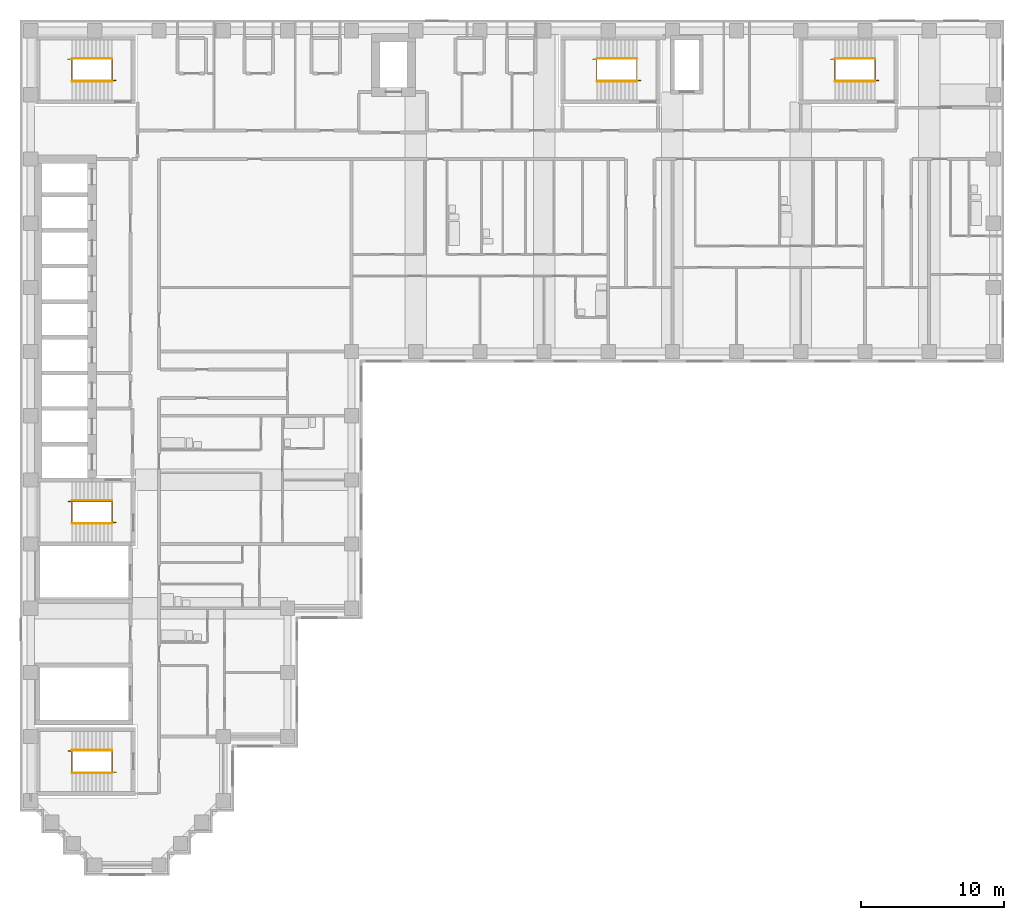
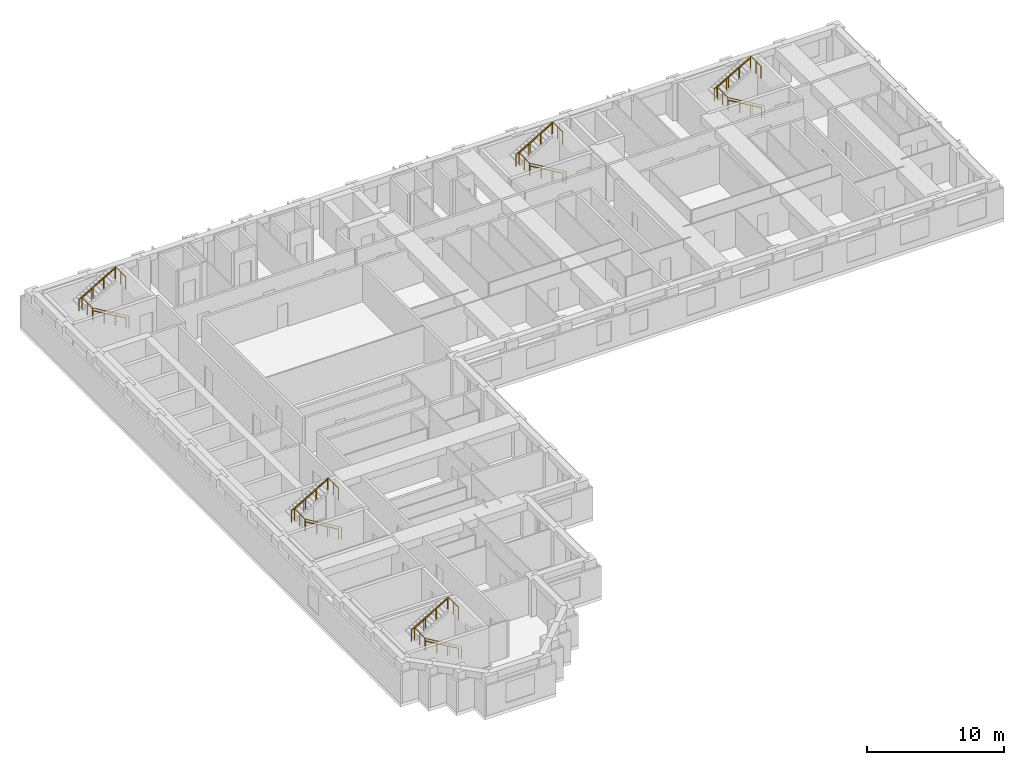
# One storey, part 11 of 12: 15 railings.
"""IFC4 building model written with IfcOpenShell, lengths in metres."""

from ifc_helpers import new_model, si_unit, direction, frame, origin, origin_2d, place, context, subcontext, project, spatial, circle, extrude, material, type_object, element, save


model = new_model("IFC4")

# Units and contexts
model_context = context("Model", 3, precision=1e-05, world=origin(), true_north=direction((0.0, 1.0)))
body_context = subcontext(model_context, "Body", "Model", "MODEL_VIEW")
ifc_project = project(units=[si_unit("LENGTHUNIT", "METRE"), si_unit("AREAUNIT", "SQUARE_METRE"), si_unit("VOLUMEUNIT", "CUBIC_METRE"), si_unit("PLANEANGLEUNIT", "RADIAN"), si_unit("MASSUNIT", "GRAM", prefix="KILO")], contexts=[model_context])

# Site, building, storey
site_placement = place(None, origin())
site = spatial("IfcSite", under=ifc_project, at=site_placement, CompositionType="ELEMENT")
building_placement = place(site_placement, origin())
building = spatial("IfcBuilding", under=site, at=building_placement, Name="Firuza Court", CompositionType="ELEMENT")
storey_placement = place(building_placement, frame((0.0, 0.0, 155.60009765625)))
storey = spatial("IfcBuildingStorey", under=building, at=storey_placement, Name="L39", CompositionType="ELEMENT", Elevation=155.60009765625)

# Railings
ifc_material_1 = material(Name="Steel S355", Category="steel")
railing_type_1 = type_object("IfcRailingType", Name="Handrail 900", PredefinedType="HANDRAIL", material=ifc_material_1)
railing_1_placement = place(storey_placement, frame((42.5, 54.949951171875, 0.16357421875)))
element("IfcRailing", 1, at=railing_1_placement, inside=storey, type_object=railing_type_1, Name="Handrail S1 flight 1", PredefinedType="HANDRAIL", context=body_context, shape_type="SweptSolid", body=[
    extrude(circle(Radius=0.02490234375, at=origin_2d()), frame((0.0, 0.0, 0.875), z_axis=(-0.863393664356, 0.0, 0.504530851732), x_axis=(0.0, -1.0, 0.0)), (0.0, 0.0, 1.0), 3.2431640625),
    extrude(circle(Radius=0.02001953125, at=origin_2d()), origin(), (0.0, 0.0, 1.0), 0.849853515625),
    extrude(circle(Radius=0.02001953125, at=origin_2d()), frame((-0.933349609375, 0.0, 0.54541015625)), (0.0, 0.0, 1.0), 0.849853515625),
    extrude(circle(Radius=0.02001953125, at=origin_2d()), frame((-1.86669921875, 0.0, 1.0908203125)), (0.0, 0.0, 1.0), 0.849853515625),
    extrude(circle(Radius=0.02001953125, at=origin_2d()), frame((-2.800048828125, 0.0, 1.63623046875)), (0.0, 0.0, 1.0), 0.849853515625),
])
railing_2_placement = place(storey_placement, frame((39.699951171875, 56.550048828125, 1.963623046875)))
element("IfcRailing", 2, at=railing_2_placement, inside=storey, type_object=railing_type_1, Name="Handrail S1 flight 2", PredefinedType="HANDRAIL", context=body_context, shape_type="SweptSolid", body=[
    extrude(circle(Radius=0.02490234375, at=origin_2d()), frame((0.0, 0.0, 0.875), z_axis=(0.863393664356, 0.0, 0.504530851732), x_axis=(0.0, 1.0, 0.0)), (0.0, 0.0, 1.0), 3.2431640625),
    extrude(circle(Radius=0.02001953125, at=origin_2d()), origin(), (0.0, 0.0, 1.0), 0.849853515625),
    extrude(circle(Radius=0.02001953125, at=origin_2d()), frame((0.933349609375, 0.0, 0.54541015625)), (0.0, 0.0, 1.0), 0.849853515625),
    extrude(circle(Radius=0.02001953125, at=origin_2d()), frame((1.86669921875, 0.0, 1.0908203125)), (0.0, 0.0, 1.0), 0.849853515625),
    extrude(circle(Radius=0.02001953125, at=origin_2d()), frame((2.800048828125, 0.0, 1.63623046875)), (0.0, 0.0, 1.0), 0.849853515625),
])
railing_3_placement = place(storey_placement, frame((5.699951171875, 23.949951171875, 0.16357421875)))
element("IfcRailing", 3, at=railing_3_placement, inside=storey, type_object=railing_type_1, Name="Handrail S2 flight 1", PredefinedType="HANDRAIL", context=body_context, shape_type="SweptSolid", body=[
    extrude(circle(Radius=0.02490234375, at=origin_2d()), frame((0.0, 0.0, 0.875), z_axis=(-0.863393664356, 0.0, 0.504530851732), x_axis=(0.0, -1.0, 0.0)), (0.0, 0.0, 1.0), 3.2431640625),
    extrude(circle(Radius=0.02001953125, at=origin_2d()), origin(), (0.0, 0.0, 1.0), 0.849853515625),
    extrude(circle(Radius=0.02001953125, at=origin_2d()), frame((-0.933349609375, 0.0, 0.54541015625)), (0.0, 0.0, 1.0), 0.849853515625),
    extrude(circle(Radius=0.02001953125, at=origin_2d()), frame((-1.86669921875, 0.0, 1.0908203125)), (0.0, 0.0, 1.0), 0.849853515625),
    extrude(circle(Radius=0.02001953125, at=origin_2d()), frame((-2.800048828125, 0.0, 1.63623046875)), (0.0, 0.0, 1.0), 0.849853515625),
])
railing_4_placement = place(storey_placement, frame((2.89990234375, 25.550048828125, 1.963623046875)))
element("IfcRailing", 4, at=railing_4_placement, inside=storey, type_object=railing_type_1, Name="Handrail S2 flight 2", PredefinedType="HANDRAIL", context=body_context, shape_type="SweptSolid", body=[
    extrude(circle(Radius=0.02490234375, at=origin_2d()), frame((0.0, 0.0, 0.875), z_axis=(0.863393664356, 0.0, 0.504530851732), x_axis=(0.0, 1.0, 0.0)), (0.0, 0.0, 1.0), 3.2431640625),
    extrude(circle(Radius=0.02001953125, at=origin_2d()), origin(), (0.0, 0.0, 1.0), 0.849853515625),
    extrude(circle(Radius=0.02001953125, at=origin_2d()), frame((0.933349609375, 0.0, 0.54541015625)), (0.0, 0.0, 1.0), 0.849853515625),
    extrude(circle(Radius=0.02001953125, at=origin_2d()), frame((1.86669921875, 0.0, 1.0908203125)), (0.0, 0.0, 1.0), 0.849853515625),
    extrude(circle(Radius=0.02001953125, at=origin_2d()), frame((2.800048828125, 0.0, 1.63623046875)), (0.0, 0.0, 1.0), 0.849853515625),
])
railing_5_placement = place(storey_placement, frame((5.699951171875, 54.949951171875, 0.16357421875)))
element("IfcRailing", 5, at=railing_5_placement, inside=storey, type_object=railing_type_1, Name="Handrail S3 flight 1", PredefinedType="HANDRAIL", context=body_context, shape_type="SweptSolid", body=[
    extrude(circle(Radius=0.02490234375, at=origin_2d()), frame((0.0, 0.0, 0.875), z_axis=(-0.863393664356, 0.0, 0.504530851732), x_axis=(0.0, -1.0, 0.0)), (0.0, 0.0, 1.0), 3.2431640625),
    extrude(circle(Radius=0.02001953125, at=origin_2d()), origin(), (0.0, 0.0, 1.0), 0.849853515625),
    extrude(circle(Radius=0.02001953125, at=origin_2d()), frame((-0.933349609375, 0.0, 0.54541015625)), (0.0, 0.0, 1.0), 0.849853515625),
    extrude(circle(Radius=0.02001953125, at=origin_2d()), frame((-1.86669921875, 0.0, 1.0908203125)), (0.0, 0.0, 1.0), 0.849853515625),
    extrude(circle(Radius=0.02001953125, at=origin_2d()), frame((-2.800048828125, 0.0, 1.63623046875)), (0.0, 0.0, 1.0), 0.849853515625),
])
railing_6_placement = place(storey_placement, frame((2.89990234375, 56.550048828125, 1.963623046875)))
element("IfcRailing", 6, at=railing_6_placement, inside=storey, type_object=railing_type_1, Name="Handrail S3 flight 2", PredefinedType="HANDRAIL", context=body_context, shape_type="SweptSolid", body=[
    extrude(circle(Radius=0.02490234375, at=origin_2d()), frame((0.0, 0.0, 0.875), z_axis=(0.863393664356, 0.0, 0.504530851732), x_axis=(0.0, 1.0, 0.0)), (0.0, 0.0, 1.0), 3.2431640625),
    extrude(circle(Radius=0.02001953125, at=origin_2d()), origin(), (0.0, 0.0, 1.0), 0.849853515625),
    extrude(circle(Radius=0.02001953125, at=origin_2d()), frame((0.933349609375, 0.0, 0.54541015625)), (0.0, 0.0, 1.0), 0.849853515625),
    extrude(circle(Radius=0.02001953125, at=origin_2d()), frame((1.86669921875, 0.0, 1.0908203125)), (0.0, 0.0, 1.0), 0.849853515625),
    extrude(circle(Radius=0.02001953125, at=origin_2d()), frame((2.800048828125, 0.0, 1.63623046875)), (0.0, 0.0, 1.0), 0.849853515625),
])
railing_7_placement = place(storey_placement, frame((59.199951171875, 54.949951171875, 0.16357421875)))
element("IfcRailing", 7, at=railing_7_placement, inside=storey, type_object=railing_type_1, Name="Handrail S4 flight 1", PredefinedType="HANDRAIL", context=body_context, shape_type="SweptSolid", body=[
    extrude(circle(Radius=0.02490234375, at=origin_2d()), frame((0.0, 0.0, 0.875), z_axis=(-0.863393664356, 0.0, 0.504530851732), x_axis=(0.0, -1.0, 0.0)), (0.0, 0.0, 1.0), 3.2431640625),
    extrude(circle(Radius=0.02001953125, at=origin_2d()), origin(), (0.0, 0.0, 1.0), 0.849853515625),
    extrude(circle(Radius=0.02001953125, at=origin_2d()), frame((-0.933349609375, 0.0, 0.54541015625)), (0.0, 0.0, 1.0), 0.849853515625),
    extrude(circle(Radius=0.02001953125, at=origin_2d()), frame((-1.86669921875, 0.0, 1.0908203125)), (0.0, 0.0, 1.0), 0.849853515625),
    extrude(circle(Radius=0.02001953125, at=origin_2d()), frame((-2.800048828125, 0.0, 1.63623046875)), (0.0, 0.0, 1.0), 0.849853515625),
])
railing_8_placement = place(storey_placement, frame((56.39990234375, 56.550048828125, 1.963623046875)))
element("IfcRailing", 8, at=railing_8_placement, inside=storey, type_object=railing_type_1, Name="Handrail S4 flight 2", PredefinedType="HANDRAIL", context=body_context, shape_type="SweptSolid", body=[
    extrude(circle(Radius=0.02490234375, at=origin_2d()), frame((0.0, 0.0, 0.875), z_axis=(0.863393664356, 0.0, 0.504530851732), x_axis=(0.0, 1.0, 0.0)), (0.0, 0.0, 1.0), 3.2431640625),
    extrude(circle(Radius=0.02001953125, at=origin_2d()), origin(), (0.0, 0.0, 1.0), 0.849853515625),
    extrude(circle(Radius=0.02001953125, at=origin_2d()), frame((0.933349609375, 0.0, 0.54541015625)), (0.0, 0.0, 1.0), 0.849853515625),
    extrude(circle(Radius=0.02001953125, at=origin_2d()), frame((1.86669921875, 0.0, 1.0908203125)), (0.0, 0.0, 1.0), 0.849853515625),
    extrude(circle(Radius=0.02001953125, at=origin_2d()), frame((2.800048828125, 0.0, 1.63623046875)), (0.0, 0.0, 1.0), 0.849853515625),
])
railing_9_placement = place(storey_placement, frame((5.699951171875, 6.449951171875, 0.16357421875)))
element("IfcRailing", 9, at=railing_9_placement, inside=storey, type_object=railing_type_1, Name="Handrail S5 flight 1", PredefinedType="HANDRAIL", context=body_context, shape_type="SweptSolid", body=[
    extrude(circle(Radius=0.02490234375, at=origin_2d()), frame((0.0, 0.0, 0.875), z_axis=(-0.863393664356, 0.0, 0.504530851732), x_axis=(0.0, -1.0, 0.0)), (0.0, 0.0, 1.0), 3.2431640625),
    extrude(circle(Radius=0.02001953125, at=origin_2d()), origin(), (0.0, 0.0, 1.0), 0.849853515625),
    extrude(circle(Radius=0.02001953125, at=origin_2d()), frame((-0.933349609375, 0.0, 0.54541015625)), (0.0, 0.0, 1.0), 0.849853515625),
    extrude(circle(Radius=0.02001953125, at=origin_2d()), frame((-1.86669921875, 0.0, 1.0908203125)), (0.0, 0.0, 1.0), 0.849853515625),
    extrude(circle(Radius=0.02001953125, at=origin_2d()), frame((-2.800048828125, 0.0, 1.63623046875)), (0.0, 0.0, 1.0), 0.849853515625),
])
railing_10_placement = place(storey_placement, frame((2.89990234375, 8.050048828125, 1.963623046875)))
element("IfcRailing", 10, at=railing_10_placement, inside=storey, type_object=railing_type_1, Name="Handrail S5 flight 2", PredefinedType="HANDRAIL", context=body_context, shape_type="SweptSolid", body=[
    extrude(circle(Radius=0.02490234375, at=origin_2d()), frame((0.0, 0.0, 0.875), z_axis=(0.863393664356, 0.0, 0.504530851732), x_axis=(0.0, 1.0, 0.0)), (0.0, 0.0, 1.0), 3.2431640625),
    extrude(circle(Radius=0.02001953125, at=origin_2d()), origin(), (0.0, 0.0, 1.0), 0.849853515625),
    extrude(circle(Radius=0.02001953125, at=origin_2d()), frame((0.933349609375, 0.0, 0.54541015625)), (0.0, 0.0, 1.0), 0.849853515625),
    extrude(circle(Radius=0.02001953125, at=origin_2d()), frame((1.86669921875, 0.0, 1.0908203125)), (0.0, 0.0, 1.0), 0.849853515625),
    extrude(circle(Radius=0.02001953125, at=origin_2d()), frame((2.800048828125, 0.0, 1.63623046875)), (0.0, 0.0, 1.0), 0.849853515625),
])
ifc_material_2 = material(Name="Steel S355", Category="steel")
railing_type_2 = type_object("IfcRailingType", Name="Stair guard 1100", PredefinedType="GUARDRAIL", material=ifc_material_2)
railing_11_placement = place(storey_placement, frame((42.780029296875, 55.010009765625, 0.0)))
element("IfcRailing", 11, at=railing_11_placement, inside=storey, type_object=railing_type_2, Name="Stair well guard S1", PredefinedType="GUARDRAIL", context=body_context, shape_type="SweptSolid", body=[
    extrude(circle(Radius=0.02490234375, at=origin_2d()), frame((0.0, 0.0, 1.0751953125), z_axis=(-0.863401368682, 0.0, 0.504517667242), x_axis=(0.0, -1.0, 0.0)), (0.0, 0.0, 1.0), 3.5673828125),
    extrude(circle(Radius=0.02490234375, at=origin_2d()), frame((-3.080078125, 0.0, 2.875), z_axis=(0.0, 1.0, 0.0), x_axis=(-1.0, 0.0, 0.0)), (0.0, 0.0, 1.0), 1.47998046875),
    extrude(circle(Radius=0.02490234375, at=origin_2d()), frame((-3.080078125, 1.47998046875, 2.875), z_axis=(-1.0, 0.0, 0.0), x_axis=(0.0, -1.0, 0.0)), (0.0, 0.0, 1.0), 0.280029296875),
    extrude(circle(Radius=0.02490234375, at=origin_2d()), frame((-3.360107421875, 1.47998046875, 2.875), z_axis=(0.863371556955, 0.0, 0.504568681787), x_axis=(0.0, 1.0, 0.0)), (0.0, 0.0, 1.0), 3.5673828125),
    extrude(circle(Radius=0.02490234375, at=origin_2d()), frame((-0.280029296875, 1.47998046875, 4.6748046875), z_axis=(0.0, -1.0, 0.0), x_axis=(1.0, 0.0, 0.0)), (0.0, 0.0, 1.0), 1.47998046875),
    extrude(circle(Radius=0.02490234375, at=origin_2d()), origin(), (0.0, 0.0, 1.0), 1.050048828125),
    extrude(circle(Radius=0.02490234375, at=origin_2d()), frame((-1.026611328125, 0.0, 0.599853515625)), (0.0, 0.0, 1.0), 1.050048828125),
    extrude(circle(Radius=0.02490234375, at=origin_2d()), frame((-2.053466796875, 0.0, 1.199951171875)), (0.0, 0.0, 1.0), 1.050048828125),
    extrude(circle(Radius=0.02490234375, at=origin_2d()), frame((-3.080078125, 0.0, 1.7998046875)), (0.0, 0.0, 1.0), 1.050048828125),
    extrude(circle(Radius=0.02490234375, at=origin_2d()), frame((-3.080078125, 0.739990234375, 1.7998046875)), (0.0, 0.0, 1.0), 1.050048828125),
    extrude(circle(Radius=0.02490234375, at=origin_2d()), frame((-3.080078125, 1.47998046875, 1.7998046875)), (0.0, 0.0, 1.0), 1.050048828125),
    extrude(circle(Radius=0.02490234375, at=origin_2d()), frame((-3.360107421875, 1.47998046875, 1.7998046875)), (0.0, 0.0, 1.0), 1.050048828125),
    extrude(circle(Radius=0.02490234375, at=origin_2d()), frame((-2.33349609375, 1.47998046875, 2.39990234375)), (0.0, 0.0, 1.0), 1.050048828125),
    extrude(circle(Radius=0.02490234375, at=origin_2d()), frame((-1.306640625, 1.47998046875, 2.999755859375)), (0.0, 0.0, 1.0), 1.050048828125),
    extrude(circle(Radius=0.02490234375, at=origin_2d()), frame((-0.280029296875, 1.47998046875, 3.599853515625)), (0.0, 0.0, 1.0), 1.050048828125),
    extrude(circle(Radius=0.02490234375, at=origin_2d()), frame((-0.280029296875, 0.739990234375, 3.599853515625)), (0.0, 0.0, 1.0), 1.050048828125),
    extrude(circle(Radius=0.02490234375, at=origin_2d()), frame((-0.280029296875, 0.0, 3.599853515625)), (0.0, 0.0, 1.0), 1.050048828125),
])
railing_12_placement = place(storey_placement, frame((5.97998046875, 24.010009765625, 0.0)))
element("IfcRailing", 12, at=railing_12_placement, inside=storey, type_object=railing_type_2, Name="Stair well guard S2", PredefinedType="GUARDRAIL", context=body_context, shape_type="SweptSolid", body=[
    extrude(circle(Radius=0.02490234375, at=origin_2d()), frame((0.0, 0.0, 1.0751953125), z_axis=(-0.863401368682, 0.0, 0.504517667242), x_axis=(0.0, -1.0, 0.0)), (0.0, 0.0, 1.0), 3.5673828125),
    extrude(circle(Radius=0.02490234375, at=origin_2d()), frame((-3.080078125, 0.0, 2.875), z_axis=(0.0, 1.0, 0.0), x_axis=(-1.0, 0.0, 0.0)), (0.0, 0.0, 1.0), 1.47998046875),
    extrude(circle(Radius=0.02490234375, at=origin_2d()), frame((-3.080078125, 1.47998046875, 2.875), z_axis=(-1.0, 0.0, 0.0), x_axis=(0.0, -1.0, 0.0)), (0.0, 0.0, 1.0), 0.27978515625),
    extrude(circle(Radius=0.02490234375, at=origin_2d()), frame((-3.35986328125, 1.47998046875, 2.875), z_axis=(0.863354132664, 0.0, 0.504598495452), x_axis=(0.0, 1.0, 0.0)), (0.0, 0.0, 1.0), 3.5673828125),
    extrude(circle(Radius=0.02490234375, at=origin_2d()), frame((-0.280029296875, 1.47998046875, 4.6748046875), z_axis=(0.0, -1.0, 0.0), x_axis=(1.0, 0.0, 0.0)), (0.0, 0.0, 1.0), 1.47998046875),
    extrude(circle(Radius=0.02490234375, at=origin_2d()), origin(), (0.0, 0.0, 1.0), 1.050048828125),
    extrude(circle(Radius=0.02490234375, at=origin_2d()), frame((-1.026611328125, 0.0, 0.599853515625)), (0.0, 0.0, 1.0), 1.050048828125),
    extrude(circle(Radius=0.02490234375, at=origin_2d()), frame((-2.053466796875, 0.0, 1.199951171875)), (0.0, 0.0, 1.0), 1.050048828125),
    extrude(circle(Radius=0.02490234375, at=origin_2d()), frame((-3.080078125, 0.0, 1.7998046875)), (0.0, 0.0, 1.0), 1.050048828125),
    extrude(circle(Radius=0.02490234375, at=origin_2d()), frame((-3.080078125, 0.739990234375, 1.7998046875)), (0.0, 0.0, 1.0), 1.050048828125),
    extrude(circle(Radius=0.02490234375, at=origin_2d()), frame((-3.080078125, 1.47998046875, 1.7998046875)), (0.0, 0.0, 1.0), 1.050048828125),
    extrude(circle(Radius=0.02490234375, at=origin_2d()), frame((-3.35986328125, 1.47998046875, 1.7998046875)), (0.0, 0.0, 1.0), 1.050048828125),
    extrude(circle(Radius=0.02490234375, at=origin_2d()), frame((-2.333251953125, 1.47998046875, 2.39990234375)), (0.0, 0.0, 1.0), 1.050048828125),
    extrude(circle(Radius=0.02490234375, at=origin_2d()), frame((-1.306640625, 1.47998046875, 2.999755859375)), (0.0, 0.0, 1.0), 1.050048828125),
    extrude(circle(Radius=0.02490234375, at=origin_2d()), frame((-0.280029296875, 1.47998046875, 3.599853515625)), (0.0, 0.0, 1.0), 1.050048828125),
    extrude(circle(Radius=0.02490234375, at=origin_2d()), frame((-0.280029296875, 0.739990234375, 3.599853515625)), (0.0, 0.0, 1.0), 1.050048828125),
    extrude(circle(Radius=0.02490234375, at=origin_2d()), frame((-0.280029296875, 0.0, 3.599853515625)), (0.0, 0.0, 1.0), 1.050048828125),
])
railing_13_placement = place(storey_placement, frame((5.97998046875, 55.010009765625, 0.0)))
element("IfcRailing", 13, at=railing_13_placement, inside=storey, type_object=railing_type_2, Name="Stair well guard S3", PredefinedType="GUARDRAIL", context=body_context, shape_type="SweptSolid", body=[
    extrude(circle(Radius=0.02490234375, at=origin_2d()), frame((0.0, 0.0, 1.0751953125), z_axis=(-0.863401368682, 0.0, 0.504517667242), x_axis=(0.0, -1.0, 0.0)), (0.0, 0.0, 1.0), 3.5673828125),
    extrude(circle(Radius=0.02490234375, at=origin_2d()), frame((-3.080078125, 0.0, 2.875), z_axis=(0.0, 1.0, 0.0), x_axis=(-1.0, 0.0, 0.0)), (0.0, 0.0, 1.0), 1.47998046875),
    extrude(circle(Radius=0.02490234375, at=origin_2d()), frame((-3.080078125, 1.47998046875, 2.875), z_axis=(-1.0, 0.0, 0.0), x_axis=(0.0, -1.0, 0.0)), (0.0, 0.0, 1.0), 0.27978515625),
    extrude(circle(Radius=0.02490234375, at=origin_2d()), frame((-3.35986328125, 1.47998046875, 2.875), z_axis=(0.863354132664, 0.0, 0.504598495452), x_axis=(0.0, 1.0, 0.0)), (0.0, 0.0, 1.0), 3.5673828125),
    extrude(circle(Radius=0.02490234375, at=origin_2d()), frame((-0.280029296875, 1.47998046875, 4.6748046875), z_axis=(0.0, -1.0, 0.0), x_axis=(1.0, 0.0, 0.0)), (0.0, 0.0, 1.0), 1.47998046875),
    extrude(circle(Radius=0.02490234375, at=origin_2d()), origin(), (0.0, 0.0, 1.0), 1.050048828125),
    extrude(circle(Radius=0.02490234375, at=origin_2d()), frame((-1.026611328125, 0.0, 0.599853515625)), (0.0, 0.0, 1.0), 1.050048828125),
    extrude(circle(Radius=0.02490234375, at=origin_2d()), frame((-2.053466796875, 0.0, 1.199951171875)), (0.0, 0.0, 1.0), 1.050048828125),
    extrude(circle(Radius=0.02490234375, at=origin_2d()), frame((-3.080078125, 0.0, 1.7998046875)), (0.0, 0.0, 1.0), 1.050048828125),
    extrude(circle(Radius=0.02490234375, at=origin_2d()), frame((-3.080078125, 0.739990234375, 1.7998046875)), (0.0, 0.0, 1.0), 1.050048828125),
    extrude(circle(Radius=0.02490234375, at=origin_2d()), frame((-3.080078125, 1.47998046875, 1.7998046875)), (0.0, 0.0, 1.0), 1.050048828125),
    extrude(circle(Radius=0.02490234375, at=origin_2d()), frame((-3.35986328125, 1.47998046875, 1.7998046875)), (0.0, 0.0, 1.0), 1.050048828125),
    extrude(circle(Radius=0.02490234375, at=origin_2d()), frame((-2.333251953125, 1.47998046875, 2.39990234375)), (0.0, 0.0, 1.0), 1.050048828125),
    extrude(circle(Radius=0.02490234375, at=origin_2d()), frame((-1.306640625, 1.47998046875, 2.999755859375)), (0.0, 0.0, 1.0), 1.050048828125),
    extrude(circle(Radius=0.02490234375, at=origin_2d()), frame((-0.280029296875, 1.47998046875, 3.599853515625)), (0.0, 0.0, 1.0), 1.050048828125),
    extrude(circle(Radius=0.02490234375, at=origin_2d()), frame((-0.280029296875, 0.739990234375, 3.599853515625)), (0.0, 0.0, 1.0), 1.050048828125),
    extrude(circle(Radius=0.02490234375, at=origin_2d()), frame((-0.280029296875, 0.0, 3.599853515625)), (0.0, 0.0, 1.0), 1.050048828125),
])
railing_14_placement = place(storey_placement, frame((59.47998046875, 55.010009765625, 0.0)))
element("IfcRailing", 14, at=railing_14_placement, inside=storey, type_object=railing_type_2, Name="Stair well guard S4", PredefinedType="GUARDRAIL", context=body_context, shape_type="SweptSolid", body=[
    extrude(circle(Radius=0.02490234375, at=origin_2d()), frame((0.0, 0.0, 1.0751953125), z_axis=(-0.863401368682, 0.0, 0.504517667242), x_axis=(0.0, -1.0, 0.0)), (0.0, 0.0, 1.0), 3.5673828125),
    extrude(circle(Radius=0.02490234375, at=origin_2d()), frame((-3.080078125, 0.0, 2.875), z_axis=(0.0, 1.0, 0.0), x_axis=(-1.0, 0.0, 0.0)), (0.0, 0.0, 1.0), 1.47998046875),
    extrude(circle(Radius=0.02490234375, at=origin_2d()), frame((-3.080078125, 1.47998046875, 2.875), z_axis=(-1.0, 0.0, 0.0), x_axis=(0.0, -1.0, 0.0)), (0.0, 0.0, 1.0), 0.27978515625),
    extrude(circle(Radius=0.02490234375, at=origin_2d()), frame((-3.35986328125, 1.47998046875, 2.875), z_axis=(0.863354132664, 0.0, 0.504598495452), x_axis=(0.0, 1.0, 0.0)), (0.0, 0.0, 1.0), 3.5673828125),
    extrude(circle(Radius=0.02490234375, at=origin_2d()), frame((-0.280029296875, 1.47998046875, 4.6748046875), z_axis=(0.0, -1.0, 0.0), x_axis=(1.0, 0.0, 0.0)), (0.0, 0.0, 1.0), 1.47998046875),
    extrude(circle(Radius=0.02490234375, at=origin_2d()), origin(), (0.0, 0.0, 1.0), 1.050048828125),
    extrude(circle(Radius=0.02490234375, at=origin_2d()), frame((-1.026611328125, 0.0, 0.599853515625)), (0.0, 0.0, 1.0), 1.050048828125),
    extrude(circle(Radius=0.02490234375, at=origin_2d()), frame((-2.053466796875, 0.0, 1.199951171875)), (0.0, 0.0, 1.0), 1.050048828125),
    extrude(circle(Radius=0.02490234375, at=origin_2d()), frame((-3.080078125, 0.0, 1.7998046875)), (0.0, 0.0, 1.0), 1.050048828125),
    extrude(circle(Radius=0.02490234375, at=origin_2d()), frame((-3.080078125, 0.739990234375, 1.7998046875)), (0.0, 0.0, 1.0), 1.050048828125),
    extrude(circle(Radius=0.02490234375, at=origin_2d()), frame((-3.080078125, 1.47998046875, 1.7998046875)), (0.0, 0.0, 1.0), 1.050048828125),
    extrude(circle(Radius=0.02490234375, at=origin_2d()), frame((-3.35986328125, 1.47998046875, 1.7998046875)), (0.0, 0.0, 1.0), 1.050048828125),
    extrude(circle(Radius=0.02490234375, at=origin_2d()), frame((-2.333251953125, 1.47998046875, 2.39990234375)), (0.0, 0.0, 1.0), 1.050048828125),
    extrude(circle(Radius=0.02490234375, at=origin_2d()), frame((-1.306640625, 1.47998046875, 2.999755859375)), (0.0, 0.0, 1.0), 1.050048828125),
    extrude(circle(Radius=0.02490234375, at=origin_2d()), frame((-0.280029296875, 1.47998046875, 3.599853515625)), (0.0, 0.0, 1.0), 1.050048828125),
    extrude(circle(Radius=0.02490234375, at=origin_2d()), frame((-0.280029296875, 0.739990234375, 3.599853515625)), (0.0, 0.0, 1.0), 1.050048828125),
    extrude(circle(Radius=0.02490234375, at=origin_2d()), frame((-0.280029296875, 0.0, 3.599853515625)), (0.0, 0.0, 1.0), 1.050048828125),
])
railing_15_placement = place(storey_placement, frame((5.97998046875, 6.510009765625, 0.0)))
element("IfcRailing", 15, at=railing_15_placement, inside=storey, type_object=railing_type_2, Name="Stair well guard S5", PredefinedType="GUARDRAIL", context=body_context, shape_type="SweptSolid", body=[
    extrude(circle(Radius=0.02490234375, at=origin_2d()), frame((0.0, 0.0, 1.0751953125), z_axis=(-0.863401368682, 0.0, 0.504517667242), x_axis=(0.0, -1.0, 0.0)), (0.0, 0.0, 1.0), 3.5673828125),
    extrude(circle(Radius=0.02490234375, at=origin_2d()), frame((-3.080078125, 0.0, 2.875), z_axis=(0.0, 1.0, 0.0), x_axis=(-1.0, 0.0, 0.0)), (0.0, 0.0, 1.0), 1.47998046875),
    extrude(circle(Radius=0.02490234375, at=origin_2d()), frame((-3.080078125, 1.47998046875, 2.875), z_axis=(-1.0, 0.0, 0.0), x_axis=(0.0, -1.0, 0.0)), (0.0, 0.0, 1.0), 0.27978515625),
    extrude(circle(Radius=0.02490234375, at=origin_2d()), frame((-3.35986328125, 1.47998046875, 2.875), z_axis=(0.863354132664, 0.0, 0.504598495452), x_axis=(0.0, 1.0, 0.0)), (0.0, 0.0, 1.0), 3.5673828125),
    extrude(circle(Radius=0.02490234375, at=origin_2d()), frame((-0.280029296875, 1.47998046875, 4.6748046875), z_axis=(0.0, -1.0, 0.0), x_axis=(1.0, 0.0, 0.0)), (0.0, 0.0, 1.0), 1.47998046875),
    extrude(circle(Radius=0.02490234375, at=origin_2d()), origin(), (0.0, 0.0, 1.0), 1.050048828125),
    extrude(circle(Radius=0.02490234375, at=origin_2d()), frame((-1.026611328125, 0.0, 0.599853515625)), (0.0, 0.0, 1.0), 1.050048828125),
    extrude(circle(Radius=0.02490234375, at=origin_2d()), frame((-2.053466796875, 0.0, 1.199951171875)), (0.0, 0.0, 1.0), 1.050048828125),
    extrude(circle(Radius=0.02490234375, at=origin_2d()), frame((-3.080078125, 0.0, 1.7998046875)), (0.0, 0.0, 1.0), 1.050048828125),
    extrude(circle(Radius=0.02490234375, at=origin_2d()), frame((-3.080078125, 0.739990234375, 1.7998046875)), (0.0, 0.0, 1.0), 1.050048828125),
    extrude(circle(Radius=0.02490234375, at=origin_2d()), frame((-3.080078125, 1.47998046875, 1.7998046875)), (0.0, 0.0, 1.0), 1.050048828125),
    extrude(circle(Radius=0.02490234375, at=origin_2d()), frame((-3.35986328125, 1.47998046875, 1.7998046875)), (0.0, 0.0, 1.0), 1.050048828125),
    extrude(circle(Radius=0.02490234375, at=origin_2d()), frame((-2.333251953125, 1.47998046875, 2.39990234375)), (0.0, 0.0, 1.0), 1.050048828125),
    extrude(circle(Radius=0.02490234375, at=origin_2d()), frame((-1.306640625, 1.47998046875, 2.999755859375)), (0.0, 0.0, 1.0), 1.050048828125),
    extrude(circle(Radius=0.02490234375, at=origin_2d()), frame((-0.280029296875, 1.47998046875, 3.599853515625)), (0.0, 0.0, 1.0), 1.050048828125),
    extrude(circle(Radius=0.02490234375, at=origin_2d()), frame((-0.280029296875, 0.739990234375, 3.599853515625)), (0.0, 0.0, 1.0), 1.050048828125),
    extrude(circle(Radius=0.02490234375, at=origin_2d()), frame((-0.280029296875, 0.0, 3.599853515625)), (0.0, 0.0, 1.0), 1.050048828125),
])

save(model, "model.ifc")
